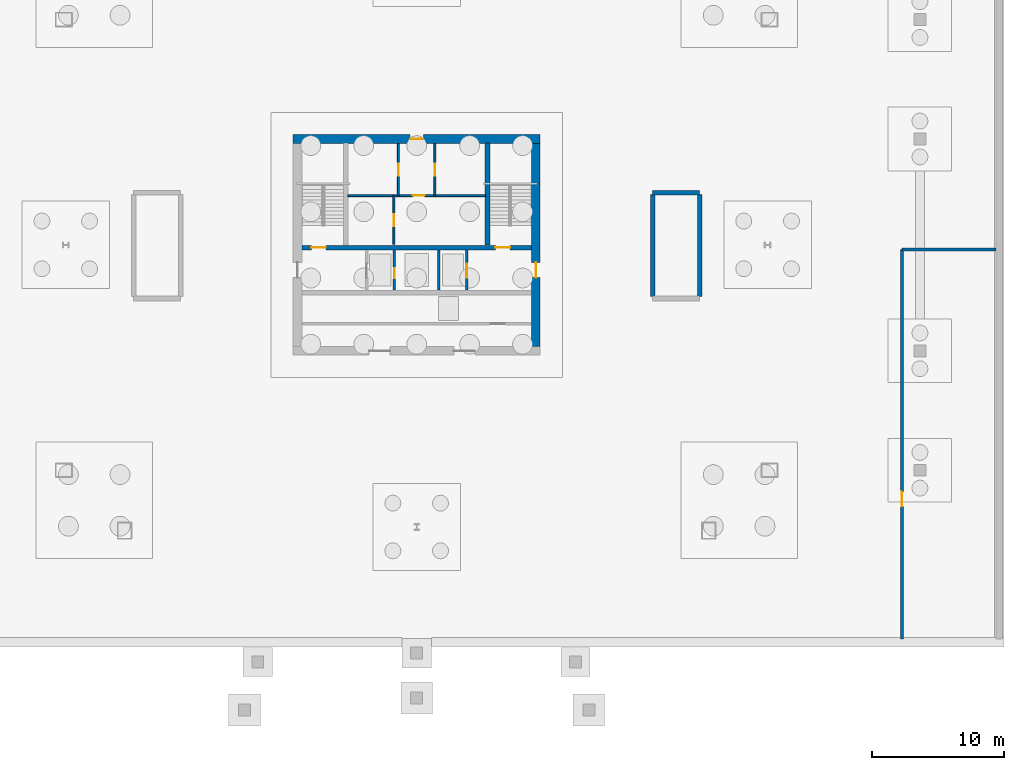
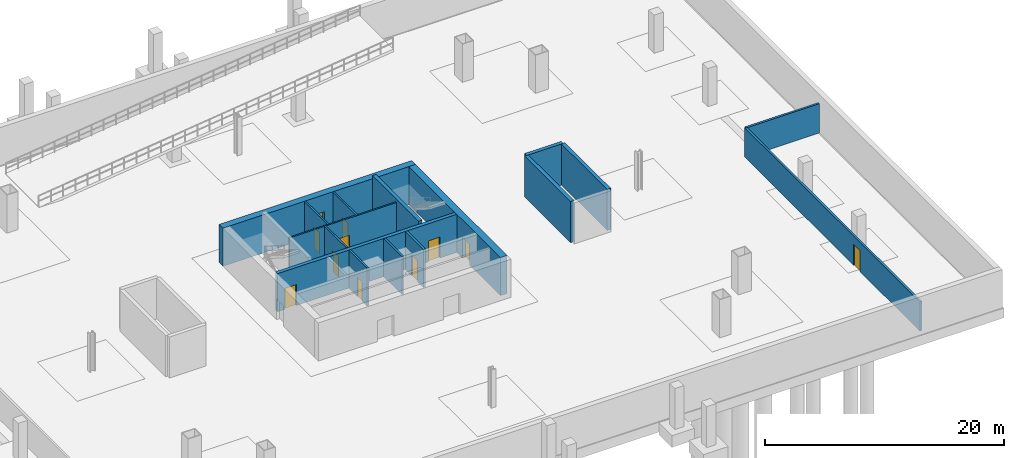
# One storey, part 4 of 7: 16 walls, 11 doors, 11 openings.
"""IFC4 building model written with IfcOpenShell, lengths in metres."""

from ifc_helpers import new_model, si_unit, direction, frame, frame_2d, origin, place, context, subcontext, project, spatial, rectangle, extrude, material, layer, layer_set, type_object, element, fill, save


model = new_model("IFC4")

# Units and contexts
model_context = context("Model", 3, precision=1e-05, world=origin(), true_north=direction((0.0, 1.0)))
body_context = subcontext(model_context, "Body", "Model", "MODEL_VIEW")
ifc_project = project(units=[si_unit("LENGTHUNIT", "METRE"), si_unit("AREAUNIT", "SQUARE_METRE"), si_unit("VOLUMEUNIT", "CUBIC_METRE"), si_unit("PLANEANGLEUNIT", "RADIAN"), si_unit("MASSUNIT", "GRAM", prefix="KILO")], contexts=[model_context])

# Site, building, storey
site_placement = place(None, origin())
site = spatial("IfcSite", under=ifc_project, at=site_placement, CompositionType="ELEMENT")
building_placement = place(site_placement, origin())
building = spatial("IfcBuilding", under=site, at=building_placement, Name="Caelvoria Tower", CompositionType="ELEMENT")
storey_placement = place(building_placement, frame((0.0, 0.0, -8.39990234375)))
storey = spatial("IfcBuildingStorey", under=building, at=storey_placement, Name="B2", CompositionType="ELEMENT", Elevation=-8.39990234375)

# Wall, openings, doors
ifc_material_1 = material(Name="Concrete C50/60", Category="concrete")
ifc_layer_1 = layer(ifc_material_1, 0.35009765625, Name="Concrete C50/60")
ifc_layer_set_1 = layer_set([ifc_layer_1], Name="Core Internal Shear Wall 350 - Concrete C50/60")
wall_type_1 = type_object("IfcWallType", Name="Core Internal Shear Wall 350", PredefinedType="SHEAR", material=ifc_layer_set_1)
wall_1_placement = place(storey_placement, frame((37.324951171875, 31.800048828125, 0.0), z_axis=(0.0, 0.0, 1.0), x_axis=(1.0, 0.0, 0.0)))
wall_1 = element("IfcWall", 1, at=wall_1_placement, inside=storey, type_object=wall_type_1, Name="Core Shear Wall B2 M1", PredefinedType="SHEAR", context=body_context, shape_type="SweptSolid", body=[
    extrude(rectangle(XDim=17.35009765625, YDim=0.35009765625, at=frame_2d((8.675048828125, 0.0))), origin(), (0.0, 0.0, 1.0), 3.89990234375),
])
opening_1_placement = place(wall_1_placement, frame((0.72509765625, 0.0, 0.0)))
opening_1 = element("IfcOpeningElement", 2, at=opening_1_placement, cuts=wall_1, Name="Opening ID-01", PredefinedType="OPENING", context=body_context, shape_type="SweptSolid", body=[
    extrude(rectangle(XDim=1.10009765625, YDim=2.14990234375, at=frame_2d((0.550048828125, 1.074951171875))), frame((0.0, 0.18505859375, 0.0), z_axis=(0.0, -1.0, 0.0), x_axis=(1.0, 0.0, 0.0)), (0.0, 0.0, 1.0), 0.3701171875),
])
opening_2_placement = place(wall_1_placement, frame((14.625, 0.0, 0.0)))
opening_2 = element("IfcOpeningElement", 3, at=opening_2_placement, cuts=wall_1, Name="Opening ID-01", PredefinedType="OPENING", context=body_context, shape_type="SweptSolid", body=[
    extrude(rectangle(XDim=1.10009765625, YDim=2.14990234375, at=frame_2d((0.550048828125, 1.074951171875))), frame((0.0, 0.18505859375, 0.0), z_axis=(0.0, -1.0, 0.0), x_axis=(1.0, 0.0, 0.0)), (0.0, 0.0, 1.0), 0.3701171875),
])
ifc_material_2 = material(Name="Painted Hollow Steel Fire Door", Category="steel")
door_type_1 = type_object("IfcDoorType", Name="Fire Door FD90S 1100x2150", OperationType="NOTDEFINED", PredefinedType="DOOR", material=ifc_material_2)
door_1_placement = place(opening_1_placement, origin())
door_1 = element("IfcDoor", 4, at=door_1_placement, inside=storey, type_object=door_type_1, Name="Core Door DR-B2-ST1", OperationType="SINGLE_SWING_LEFT", OverallHeight=2.14990234375, OverallWidth=1.10009765625, PredefinedType="DOOR", context=body_context, shape_type="SweptSolid", body=[
    extrude(rectangle(XDim=1.10009765625, YDim=2.14990234375, at=frame_2d((0.550048828125, 1.074951171875))), frame((0.0, 0.02490234375, 0.0), z_axis=(0.0, -1.0, 0.0), x_axis=(1.0, 0.0, 0.0)), (0.0, 0.0, 1.0), 0.050048828125),
])
fill(opening_1, door_1)
door_2_placement = place(opening_2_placement, origin())
door_2 = element("IfcDoor", 5, at=door_2_placement, inside=storey, type_object=door_type_1, Name="Core Door DR-B2-ST2", OperationType="SINGLE_SWING_RIGHT", OverallHeight=2.14990234375, OverallWidth=1.10009765625, PredefinedType="DOOR", context=body_context, shape_type="SweptSolid", body=[
    extrude(rectangle(XDim=1.10009765625, YDim=2.14990234375, at=frame_2d((0.550048828125, 1.074951171875))), frame((0.0, 0.02490234375, 0.0), z_axis=(0.0, -1.0, 0.0), x_axis=(1.0, 0.0, 0.0)), (0.0, 0.0, 1.0), 0.050048828125),
])
fill(opening_2, door_2)

# Walls
wall_2_placement = place(storey_placement, frame((51.35009765625, 32.0, 0.0), z_axis=(0.0, 0.0, 1.0), x_axis=(0.0, 1.0, 0.0)))
element("IfcWall", 6, at=wall_2_placement, inside=storey, type_object=wall_type_1, Name="Interior Partition IW-B2-ST2W", PredefinedType="SHEAR", context=body_context, shape_type="SweptSolid", body=[
    extrude(rectangle(XDim=7.699951171875, YDim=0.35009765625, at=frame_2d((3.85009765625, 0.0))), origin(), (0.0, 0.0, 1.0), 4.199951171875),
])
wall_3_placement = place(storey_placement, frame((63.824951171875, 35.949951171875, 0.0), z_axis=(0.0, 0.0, 1.0), x_axis=(1.0, 0.0, 0.0)))
element("IfcWall", 7, at=wall_3_placement, inside=storey, type_object=wall_type_1, Name="Podium Stair Shear Wall B2 ST4 N", PredefinedType="SHEAR", context=body_context, shape_type="SweptSolid", body=[
    extrude(rectangle(XDim=3.550048828125, YDim=0.35009765625, at=frame_2d((1.77490234375, 0.0))), origin(), (0.0, 0.0, 1.0), 4.199951171875),
])
for number, where, z_axis, x_axis, name in (
    (8, (63.824951171875, 28.10009765625, 0.0), (0.0, 0.0, 1.0), (0.0, 1.0, 0.0), "Podium Stair Shear Wall B2 ST4 W"),
    (9, (67.375, 28.10009765625, 0.0), (0.0, 0.0, 1.0), (0.0, 1.0, 0.0), "Podium Stair Shear Wall B2 ST4 E"),
):
    element("IfcWall", number, at=place(storey_placement, frame(where, z_axis=z_axis, x_axis=x_axis)), inside=storey, type_object=wall_type_1, Name=name, PredefinedType="SHEAR", context=body_context, shape_type="SweptSolid", body=[
        extrude(rectangle(XDim=7.699951171875, YDim=0.35009765625, at=frame_2d((3.85009765625, 0.0))), origin(), (0.0, 0.0, 1.0), 4.199951171875),
    ])

# Wall, opening, door
ifc_material_3 = material(Name="Double Gypsum Board on Steel Stud", Category="steel")
ifc_layer_2 = layer(ifc_material_3, 0.14990234375, Name="Double Gypsum Board on Steel Stud")
ifc_layer_set_2 = layer_set([ifc_layer_2], Name="Core Service Acoustic Partition Wall 150 - Double Gypsum Board on Steel Stud")
wall_type_2 = type_object("IfcWallType", Name="Core Service Acoustic Partition Wall 150", PredefinedType="PARTITIONING", material=ifc_layer_set_2)
wall_4_placement = place(storey_placement, frame((44.6201171875, 35.719970703125, 0.0), z_axis=(0.0, 0.0, 1.0), x_axis=(0.0, 1.0, 0.0)))
wall_4 = element("IfcWall", 10, at=wall_4_placement, inside=storey, type_object=wall_type_2, Name="Interior Partition IW-B2-C0L", PredefinedType="PARTITIONING", context=body_context, shape_type="SweptSolid", body=[
    extrude(rectangle(XDim=3.929931640625, YDim=0.14990234375, at=frame_2d((1.96484375, 0.0))), origin(), (0.0, 0.0, 1.0), 3.89990234375),
])
opening_3_placement = place(wall_4_placement, frame((1.5, 0.0, 0.0)))
opening_3 = element("IfcOpeningElement", 11, at=opening_3_placement, cuts=wall_4, Name="Opening ID-06", PredefinedType="OPENING", context=body_context, shape_type="SweptSolid", body=[
    extrude(rectangle(XDim=0.89990234375, YDim=2.14990234375, at=frame_2d((0.449951171875, 1.074951171875))), frame((0.0, 0.0849609375, 0.0), z_axis=(0.0, -1.0, 0.0), x_axis=(1.0, 0.0, 0.0)), (0.0, 0.0, 1.0), 0.169921875),
])
ifc_material_4 = material(Name="Engineered Andean Oak Veneer Door", Category="wood")
door_type_2 = type_object("IfcDoorType", Name="Interior Timber Door 900x2150", OperationType="NOTDEFINED", PredefinedType="DOOR", material=ifc_material_4)
door_3_placement = place(opening_3_placement, origin())
door_3 = element("IfcDoor", 12, at=door_3_placement, inside=storey, type_object=door_type_2, Name="Interior Door DR-B2-C01", OperationType="SINGLE_SWING_LEFT", OverallHeight=2.14990234375, OverallWidth=0.89990234375, PredefinedType="DOOR", context=body_context, shape_type="SweptSolid", body=[
    extrude(rectangle(XDim=0.89990234375, YDim=2.14990234375, at=frame_2d((0.449951171875, 1.074951171875))), frame((0.0, 0.02490234375, 0.0), z_axis=(0.0, -1.0, 0.0), x_axis=(1.0, 0.0, 0.0)), (0.0, 0.0, 1.0), 0.050048828125),
])
fill(opening_3, door_3)

wall_5_placement = place(storey_placement, frame((47.3798828125, 35.719970703125, 0.0), z_axis=(0.0, 0.0, 1.0), x_axis=(0.0, 1.0, 0.0)))
wall_5 = element("IfcWall", 13, at=wall_5_placement, inside=storey, type_object=wall_type_2, Name="Interior Partition IW-B2-C0R", PredefinedType="PARTITIONING", context=body_context, shape_type="SweptSolid", body=[
    extrude(rectangle(XDim=3.929931640625, YDim=0.14990234375, at=frame_2d((1.96484375, 0.0))), origin(), (0.0, 0.0, 1.0), 3.89990234375),
])
opening_4_placement = place(wall_5_placement, frame((1.5, 0.0, 0.0)))
opening_4 = element("IfcOpeningElement", 14, at=opening_4_placement, cuts=wall_5, Name="Opening ID-06", PredefinedType="OPENING", context=body_context, shape_type="SweptSolid", body=[
    extrude(rectangle(XDim=0.89990234375, YDim=2.14990234375, at=frame_2d((0.449951171875, 1.074951171875))), frame((0.0, 0.0849609375, 0.0), z_axis=(0.0, -1.0, 0.0), x_axis=(1.0, 0.0, 0.0)), (0.0, 0.0, 1.0), 0.169921875),
])
door_4_placement = place(opening_4_placement, origin())
door_4 = element("IfcDoor", 15, at=door_4_placement, inside=storey, type_object=door_type_2, Name="Interior Door DR-B2-C02", OperationType="SINGLE_SWING_RIGHT", OverallHeight=2.14990234375, OverallWidth=0.89990234375, PredefinedType="DOOR", context=body_context, shape_type="SweptSolid", body=[
    extrude(rectangle(XDim=0.89990234375, YDim=2.14990234375, at=frame_2d((0.449951171875, 1.074951171875))), frame((0.0, 0.02490234375, 0.0), z_axis=(0.0, -1.0, 0.0), x_axis=(1.0, 0.0, 0.0)), (0.0, 0.0, 1.0), 0.050048828125),
])
fill(opening_4, door_4)

wall_6_placement = place(storey_placement, frame((44.280029296875, 32.050048828125, 0.0), z_axis=(0.0, 0.0, 1.0), x_axis=(0.0, 1.0, 0.0)))
wall_6 = element("IfcWall", 16, at=wall_6_placement, inside=storey, type_object=wall_type_2, Name="Interior Partition IW-B2-C0M", PredefinedType="PARTITIONING", context=body_context, shape_type="SweptSolid", body=[
    extrude(rectangle(XDim=3.669921875, YDim=0.14990234375, at=frame_2d((1.8349609375, 0.0))), origin(), (0.0, 0.0, 1.0), 3.89990234375),
])
opening_5_placement = place(wall_6_placement, frame((1.35009765625, 0.0, 0.0)))
opening_5 = element("IfcOpeningElement", 17, at=opening_5_placement, cuts=wall_6, Name="Opening ID-07", PredefinedType="OPENING", context=body_context, shape_type="SweptSolid", body=[
    extrude(rectangle(XDim=0.919921875, YDim=2.14990234375, at=frame_2d((0.4599609375, 1.074951171875))), frame((0.0, 0.0849609375, 0.0), z_axis=(0.0, -1.0, 0.0), x_axis=(1.0, 0.0, 0.0)), (0.0, 0.0, 1.0), 0.169921875),
])
ifc_material_5 = material(Name="Engineered Andean Oak Accessible Door", Category="wood")
door_type_3 = type_object("IfcDoorType", Name="Accessible WC Door 950x2150", OperationType="NOTDEFINED", PredefinedType="DOOR", material=ifc_material_5)
door_5_placement = place(opening_5_placement, origin())
door_5 = element("IfcDoor", 18, at=door_5_placement, inside=storey, type_object=door_type_3, Name="Interior Door DR-B2-C05", OperationType="SINGLE_SWING_LEFT", OverallHeight=2.14990234375, OverallWidth=0.919921875, PredefinedType="DOOR", context=body_context, shape_type="SweptSolid", body=[
    extrude(rectangle(XDim=0.919921875, YDim=2.14990234375, at=frame_2d((0.4599609375, 1.074951171875))), frame((0.0, 0.02490234375, 0.0), z_axis=(0.0, -1.0, 0.0), x_axis=(1.0, 0.0, 0.0)), (0.0, 0.0, 1.0), 0.050048828125),
])
fill(opening_5, door_5)

wall_7_placement = place(storey_placement, frame((40.800048828125, 35.719970703125, 0.0), z_axis=(0.0, 0.0, 1.0), x_axis=(1.0, 0.0, 0.0)))
wall_7 = element("IfcWall", 19, at=wall_7_placement, inside=storey, type_object=wall_type_2, Name="Interior Partition IW-B2-C0H", PredefinedType="PARTITIONING", context=body_context, shape_type="SweptSolid", body=[
    extrude(rectangle(XDim=10.39990234375, YDim=0.14990234375, at=frame_2d((5.199951171875, 0.0))), origin(), (0.0, 0.0, 1.0), 3.89990234375),
])
opening_6_placement = place(wall_7_placement, frame((4.89990234375, 0.0, 0.0)))
opening_6 = element("IfcOpeningElement", 20, at=opening_6_placement, cuts=wall_7, Name="Opening ID-04", PredefinedType="OPENING", context=body_context, shape_type="SweptSolid", body=[
    extrude(rectangle(XDim=0.89990234375, YDim=2.14990234375, at=frame_2d((0.449951171875, 1.074951171875))), frame((0.0, 0.0849609375, 0.0), z_axis=(0.0, -1.0, 0.0), x_axis=(1.0, 0.0, 0.0)), (0.0, 0.0, 1.0), 0.169921875),
])
ifc_material_6 = material(Name="Acoustic Timber Fire Door", Category="wood")
door_type_4 = type_object("IfcDoorType", Name="Fire Door FD30S 900x2150", OperationType="NOTDEFINED", PredefinedType="DOOR", material=ifc_material_6)
door_6_placement = place(opening_6_placement, origin())
door_6 = element("IfcDoor", 21, at=door_6_placement, inside=storey, type_object=door_type_4, Name="Interior Door DR-B2-C04", OperationType="SINGLE_SWING_RIGHT", OverallHeight=2.14990234375, OverallWidth=0.89990234375, PredefinedType="DOOR", context=body_context, shape_type="SweptSolid", body=[
    extrude(rectangle(XDim=0.89990234375, YDim=2.14990234375, at=frame_2d((0.449951171875, 1.074951171875))), frame((0.0, 0.02490234375, 0.0), z_axis=(0.0, -1.0, 0.0), x_axis=(1.0, 0.0, 0.0)), (0.0, 0.0, 1.0), 0.050048828125),
])
fill(opening_6, door_6)

ifc_material_7 = material(Name="Concrete Block and Fireboard Assembly", Category="concrete")
ifc_layer_3 = layer(ifc_material_7, 0.179931640625, Name="Concrete Block and Fireboard Assembly")
ifc_layer_set_3 = layer_set([ifc_layer_3], Name="Fire-Rated Hoistway Partition Wall 180 - Concrete Block and Fireboard Assembly")
wall_type_3 = type_object("IfcWallType", Name="Fire-Rated Hoistway Partition Wall 180", PredefinedType="PARTITIONING", material=ifc_layer_set_3)
wall_8_placement = place(storey_placement, frame((44.320068359375, 28.580078125, 0.0), z_axis=(0.0, 0.0, 1.0), x_axis=(0.0, 1.0, 0.0)))
wall_8 = element("IfcWall", 22, at=wall_8_placement, inside=storey, type_object=wall_type_3, Name="Interior Partition IW-B2-SV1W", PredefinedType="PARTITIONING", context=body_context, shape_type="SweptSolid", body=[
    extrude(rectangle(XDim=3.0400390625, YDim=0.179931640625, at=frame_2d((1.52001953125, 0.0))), origin(), (0.0, 0.0, 1.0), 3.89990234375),
])
opening_7_placement = place(wall_8_placement, frame((0.89990234375, 0.0, 0.0)))
opening_7 = element("IfcOpeningElement", 23, at=opening_7_placement, cuts=wall_8, Name="Opening TD-01", PredefinedType="OPENING", context=body_context, shape_type="SweptSolid", body=[
    extrude(rectangle(XDim=0.75, YDim=2.0, at=frame_2d((0.375, 1.0))), frame((0.0, 0.099853515625, 0.0), z_axis=(0.0, -1.0, 0.0), x_axis=(1.0, 0.0, 0.0)), (0.0, 0.0, 1.0), 0.199951171875),
])
ifc_material_8 = material(Name="Insulated Steel Service Access Trapdoor", Category="steel")
door_type_5 = type_object("IfcDoorType", Name="Riser Maintenance Access Trapdoor 750x1850", OperationType="NOTDEFINED", PredefinedType="TRAPDOOR", material=ifc_material_8)
door_7_placement = place(opening_7_placement, origin())
door_7 = element("IfcDoor", 24, at=door_7_placement, inside=storey, type_object=door_type_5, Name="Wet Riser Access Trapdoor B2", OperationType="SINGLE_SWING_LEFT", OverallHeight=2.0, OverallWidth=0.75, PredefinedType="TRAPDOOR", context=body_context, shape_type="SweptSolid", body=[
    extrude(rectangle(XDim=0.75, YDim=2.0, at=frame_2d((0.375, 1.0))), frame((0.0, 0.02490234375, 0.0), z_axis=(0.0, -1.0, 0.0), x_axis=(1.0, 0.0, 0.0)), (0.0, 0.0, 1.0), 0.050048828125),
])
fill(opening_7, door_7)

# Wall
wall_9_placement = place(storey_placement, frame((47.679931640625, 28.580078125, 0.0), z_axis=(0.0, 0.0, 1.0), x_axis=(0.0, 1.0, 0.0)))
element("IfcWall", 25, at=wall_9_placement, inside=storey, type_object=wall_type_3, Name="Interior Partition IW-B2-SV1E", PredefinedType="PARTITIONING", context=body_context, shape_type="SweptSolid", body=[
    extrude(rectangle(XDim=3.0400390625, YDim=0.179931640625, at=frame_2d((1.52001953125, 0.0))), origin(), (0.0, 0.0, 1.0), 3.89990234375),
])

# Wall, opening, door
ifc_layer_4 = layer(ifc_material_7, 0.199951171875, Name="Concrete Block and Fireboard Assembly")
ifc_layer_set_4 = layer_set([ifc_layer_4], Name="Fire-Rated Shaft and Core Partition Wall 200 - Concrete Block and Fireboard Assembly")
wall_type_4 = type_object("IfcWallType", Name="Fire-Rated Shaft and Core Partition Wall 200", PredefinedType="PARTITIONING", material=ifc_layer_set_4)
wall_10_placement = place(storey_placement, frame((49.780029296875, 28.580078125, 0.0), z_axis=(0.0, 0.0, 1.0), x_axis=(0.0, 1.0, 0.0)))
wall_10 = element("IfcWall", 26, at=wall_10_placement, inside=storey, type_object=wall_type_4, Name="Interior Partition IW-B2-LF2E", PredefinedType="PARTITIONING", context=body_context, shape_type="SweptSolid", body=[
    extrude(rectangle(XDim=3.0400390625, YDim=0.199951171875, at=frame_2d((1.52001953125, 0.0))), origin(), (0.0, 0.0, 1.0), 3.89990234375),
])
opening_8_placement = place(wall_10_placement, frame((0.949951171875, 0.0, 0.0)))
opening_8 = element("IfcOpeningElement", 27, at=opening_8_placement, cuts=wall_10, Name="Opening LD-01", PredefinedType="OPENING", context=body_context, shape_type="SweptSolid", body=[
    extrude(rectangle(XDim=1.050048828125, YDim=2.14990234375, at=frame_2d((0.52490234375, 1.074951171875))), frame((0.0, 0.10986328125, 0.0), z_axis=(0.0, -1.0, 0.0), x_axis=(1.0, 0.0, 0.0)), (0.0, 0.0, 1.0), 0.219970703125),
])
ifc_material_9 = material(Name="Brushed Bronze Stainless Sliding Landing Door", Category="aluminium")
door_type_6 = type_object("IfcDoorType", Name="Lift Landing Sliding Door 1100x2150", OperationType="NOTDEFINED", PredefinedType="DOOR", material=ifc_material_9)
door_8_placement = place(opening_8_placement, origin())
door_8 = element("IfcDoor", 28, at=door_8_placement, inside=storey, type_object=door_type_6, Name="Interior Door LD-B2-LF2", OperationType="SLIDING_TO_RIGHT", OverallHeight=2.14990234375, OverallWidth=1.050048828125, PredefinedType="DOOR", context=body_context, shape_type="SweptSolid", body=[
    extrude(rectangle(XDim=1.050048828125, YDim=2.14990234375, at=frame_2d((0.52490234375, 1.074951171875))), frame((0.0, 0.02490234375, 0.0), z_axis=(0.0, -1.0, 0.0), x_axis=(1.0, 0.0, 0.0)), (0.0, 0.0, 1.0), 0.050048828125),
])
fill(opening_8, door_8)

wall_11_placement = place(storey_placement, frame((82.64990234375, 2.25, 0.0), z_axis=(0.0, 0.0, 1.0), x_axis=(0.0, 1.0, 0.0)))
wall_11 = element("IfcWall", 29, at=wall_11_placement, inside=storey, type_object=wall_type_4, Name="Interior Partition IW-B2-PE", PredefinedType="PARTITIONING", context=body_context, shape_type="SweptSolid", body=[
    extrude(rectangle(XDim=29.39990234375, YDim=0.199951171875, at=frame_2d((14.699951171875, 0.0))), origin(), (0.0, 0.0, 1.0), 3.0),
])
opening_9_placement = place(wall_11_placement, frame((10.0, 0.0, 0.0)))
opening_9 = element("IfcOpeningElement", 30, at=opening_9_placement, cuts=wall_11, Name="Opening ID-01", PredefinedType="OPENING", context=body_context, shape_type="SweptSolid", body=[
    extrude(rectangle(XDim=1.10009765625, YDim=2.14990234375, at=frame_2d((0.550048828125, 1.074951171875))), frame((0.0, 0.10986328125, 0.0), z_axis=(0.0, -1.0, 0.0), x_axis=(1.0, 0.0, 0.0)), (0.0, 0.0, 1.0), 0.219970703125),
])
door_9_placement = place(opening_9_placement, origin())
door_9 = element("IfcDoor", 31, at=door_9_placement, inside=storey, type_object=door_type_1, Name="Interior Door DR-B2-PE1", OperationType="SINGLE_SWING_RIGHT", OverallHeight=2.14990234375, OverallWidth=1.10009765625, PredefinedType="DOOR", context=body_context, shape_type="SweptSolid", body=[
    extrude(rectangle(XDim=1.10009765625, YDim=2.14990234375, at=frame_2d((0.550048828125, 1.074951171875))), frame((0.0, 0.02490234375, 0.0), z_axis=(0.0, -1.0, 0.0), x_axis=(1.0, 0.0, 0.0)), (0.0, 0.0, 1.0), 0.050048828125),
])
fill(opening_9, door_9)

# Wall
wall_12_placement = place(storey_placement, frame((82.64990234375, 31.64990234375, 0.0), z_axis=(0.0, 0.0, 1.0), x_axis=(1.0, 0.0, 0.0)))
element("IfcWall", 32, at=wall_12_placement, inside=storey, type_object=wall_type_4, Name="Interior Partition IW-B2-PEH", PredefinedType="PARTITIONING", context=body_context, shape_type="SweptSolid", body=[
    extrude(rectangle(XDim=7.10009765625, YDim=0.199951171875, at=frame_2d((3.550048828125, 0.0))), origin(), (0.0, 0.0, 1.0), 3.0),
])

# Wall, opening, door
ifc_material_10 = material(Name="Concrete C60/75", Category="concrete")
ifc_layer_5 = layer(ifc_material_10, 0.64990234375, Name="Concrete C60/75")
ifc_layer_set_5 = layer_set([ifc_layer_5], Name="Lower Core Shear Wall 650 - Concrete C60/75")
wall_type_5 = type_object("IfcWallType", Name="Lower Core Shear Wall 650", PredefinedType="SHEAR", material=ifc_layer_set_5)
wall_13_placement = place(storey_placement, frame((36.675048828125, 40.0, 0.0), z_axis=(0.0, 0.0, 1.0), x_axis=(1.0, 0.0, 0.0)))
wall_13 = element("IfcWall", 33, at=wall_13_placement, inside=storey, type_object=wall_type_5, Name="Core Shear Wall B2 N", PredefinedType="SHEAR", context=body_context, shape_type="SweptSolid", body=[
    extrude(rectangle(XDim=18.64990234375, YDim=0.64990234375, at=frame_2d((9.324951171875, 0.0))), origin(), (0.0, 0.0, 1.0), 3.89990234375),
])
opening_10_placement = place(wall_13_placement, frame((8.824951171875, 0.0, 0.0)))
opening_10 = element("IfcOpeningElement", 34, at=opening_10_placement, cuts=wall_13, Name="Opening ID-03", PredefinedType="OPENING", context=body_context, shape_type="SweptSolid", body=[
    extrude(rectangle(XDim=1.0, YDim=2.14990234375, at=frame_2d((0.5, 1.074951171875))), frame((0.0, 0.3349609375, 0.0), z_axis=(0.0, -1.0, 0.0), x_axis=(1.0, 0.0, 0.0)), (0.0, 0.0, 1.0), 0.669921875),
])
door_type_7 = type_object("IfcDoorType", Name="Fire Door FD60S 1000x2150", OperationType="NOTDEFINED", PredefinedType="DOOR", material=ifc_material_2)
door_10_placement = place(opening_10_placement, origin())
door_10 = element("IfcDoor", 35, at=door_10_placement, inside=storey, type_object=door_type_7, Name="Core Door DR-B2-WC-MAIN", OperationType="SINGLE_SWING_RIGHT", OverallHeight=2.14990234375, OverallWidth=1.0, PredefinedType="DOOR", context=body_context, shape_type="SweptSolid", body=[
    extrude(rectangle(XDim=1.0, YDim=2.14990234375, at=frame_2d((0.5, 1.074951171875))), frame((0.0, 0.02490234375, 0.0), z_axis=(0.0, -1.0, 0.0), x_axis=(1.0, 0.0, 0.0)), (0.0, 0.0, 1.0), 0.050048828125),
])
fill(opening_10, door_10)

wall_14_placement = place(storey_placement, frame((55.0, 24.324951171875, 0.0), z_axis=(0.0, 0.0, 1.0), x_axis=(0.0, 1.0, 0.0)))
wall_14 = element("IfcWall", 36, at=wall_14_placement, inside=storey, type_object=wall_type_5, Name="Core Shear Wall B2 E", PredefinedType="SHEAR", context=body_context, shape_type="SweptSolid", body=[
    extrude(rectangle(XDim=15.35009765625, YDim=0.64990234375, at=frame_2d((7.675048828125, 0.0))), origin(), (0.0, 0.0, 1.0), 3.89990234375),
])
opening_11_placement = place(wall_14_placement, frame((5.199951171875, 0.0, 0.0)))
opening_11 = element("IfcOpeningElement", 37, at=opening_11_placement, cuts=wall_14, Name="Opening ID-02", PredefinedType="OPENING", context=body_context, shape_type="SweptSolid", body=[
    extrude(rectangle(XDim=1.14990234375, YDim=2.14990234375, at=frame_2d((0.574951171875, 1.074951171875))), frame((0.0, 0.3349609375, 0.0), z_axis=(0.0, -1.0, 0.0), x_axis=(1.0, 0.0, 0.0)), (0.0, 0.0, 1.0), 0.669921875),
])
door_type_8 = type_object("IfcDoorType", Name="Fire Door FD60S 1150x2150", OperationType="NOTDEFINED", PredefinedType="DOOR", material=ifc_material_2)
door_11_placement = place(opening_11_placement, origin())
door_11 = element("IfcDoor", 38, at=door_11_placement, inside=storey, type_object=door_type_8, Name="Core Door DR-B2-FFLE-OUT", OperationType="SINGLE_SWING_RIGHT", OverallHeight=2.14990234375, OverallWidth=1.14990234375, PredefinedType="DOOR", context=body_context, shape_type="SweptSolid", body=[
    extrude(rectangle(XDim=1.14990234375, YDim=2.14990234375, at=frame_2d((0.574951171875, 1.074951171875))), frame((0.0, 0.02490234375, 0.0), z_axis=(0.0, -1.0, 0.0), x_axis=(1.0, 0.0, 0.0)), (0.0, 0.0, 1.0), 0.050048828125),
])
fill(opening_11, door_11)

save(model, "model.ifc")
